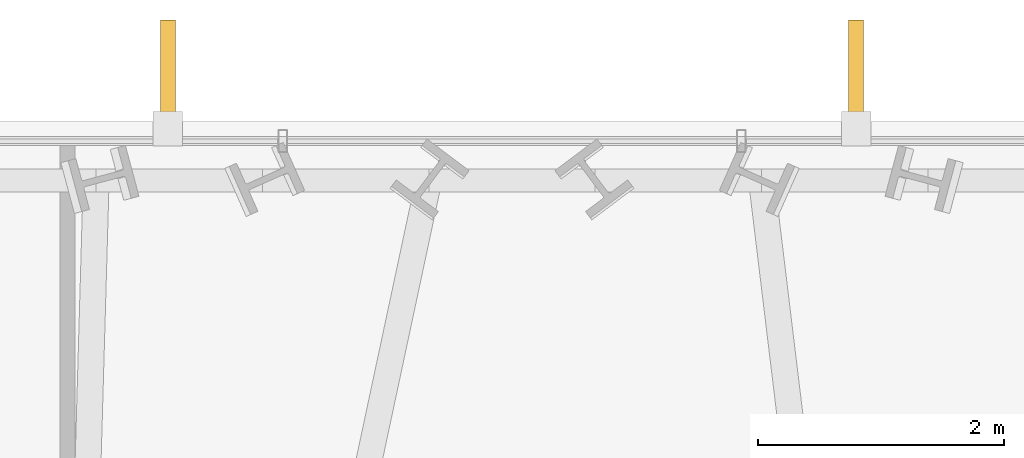
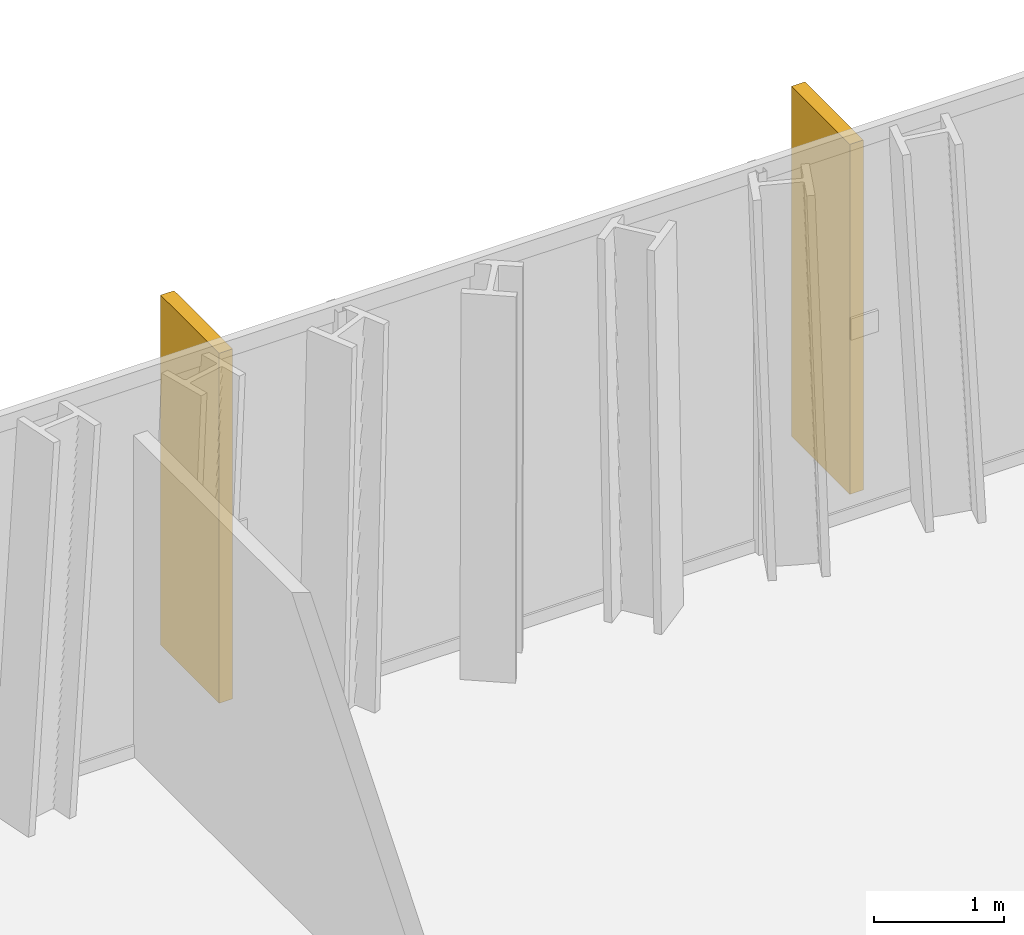
# One storey, part 32 of 32: 2 shading devices.
"""IFC4 building model written with IfcOpenShell, lengths in metres."""

from ifc_helpers import new_model, si_unit, direction, frame, origin, origin_2d, place, context, subcontext, project, spatial, rectangle, extrude, material, type_object, element, save


model = new_model("IFC4")

# Units and contexts
model_context = context("Model", 3, precision=1e-05, world=origin(), true_north=direction((0.0, 1.0)))
body_context = subcontext(model_context, "Body", "Model", "MODEL_VIEW")
ifc_project = project(units=[si_unit("LENGTHUNIT", "METRE"), si_unit("AREAUNIT", "SQUARE_METRE"), si_unit("VOLUMEUNIT", "CUBIC_METRE"), si_unit("PLANEANGLEUNIT", "RADIAN"), si_unit("MASSUNIT", "GRAM", prefix="KILO")], contexts=[model_context])

# Site, building, storey
site_placement = place(None, origin())
site = spatial("IfcSite", under=ifc_project, at=site_placement, CompositionType="ELEMENT")
building_placement = place(site_placement, origin())
building = spatial("IfcBuilding", under=site, at=building_placement, Name="Ndaravel Arena Tower", CompositionType="ELEMENT")
storey_placement = place(building_placement, frame((0.0, 0.0, 157.39990234375)))
storey = spatial("IfcBuildingStorey", under=building, at=storey_placement, Name="L37", CompositionType="ELEMENT", Elevation=157.39990234375)

# Shading devices
ifc_material = material(Name="Masonry", Category="masonry")
shading_device_type = type_object("IfcShadingDeviceType", Name="SHD-MAZERAS-FIN", PredefinedType="SHUTTER", material=ifc_material)
for number, where, z_axis, x_axis, name in (
    (1, (44.7958984375, 46.687744140625, 0.14990234375), (0.0, 0.0, 1.0), (0.0, 1.0, 0.0), "L37 Mazeras Stone Solar Fin E4.1"),
    (2, (39.2041015625, 46.687744140625, 0.14990234375), (0.0, 0.0, 1.0), (0.0, 1.0, 0.0), "L37 Mazeras Stone Solar Fin E4.2"),
):
    element("IfcShadingDevice", number, at=place(storey_placement, frame(where, z_axis=z_axis, x_axis=x_axis)), inside=storey, type_object=shading_device_type, Name=name, PredefinedType="SHUTTER", context=body_context, shape_type="SweptSolid", body=[
        extrude(rectangle(XDim=0.89990234375, YDim=0.1201171875, at=origin_2d()), origin(), (0.0, 0.0, 1.0), 3.280029296875),
    ])

save(model, "model.ifc")
